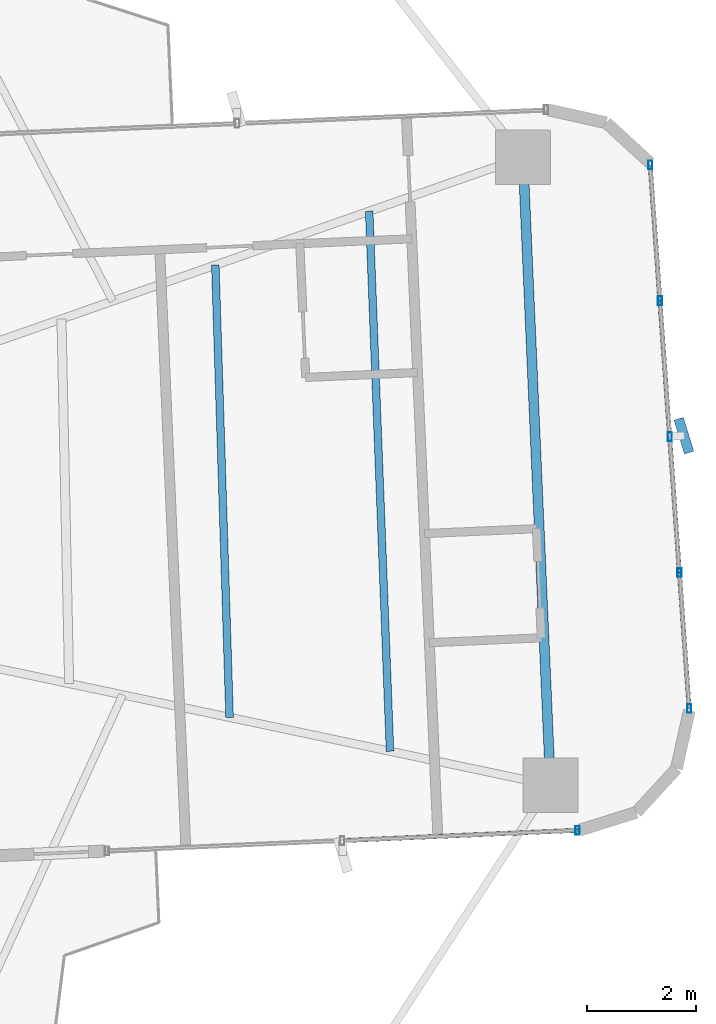
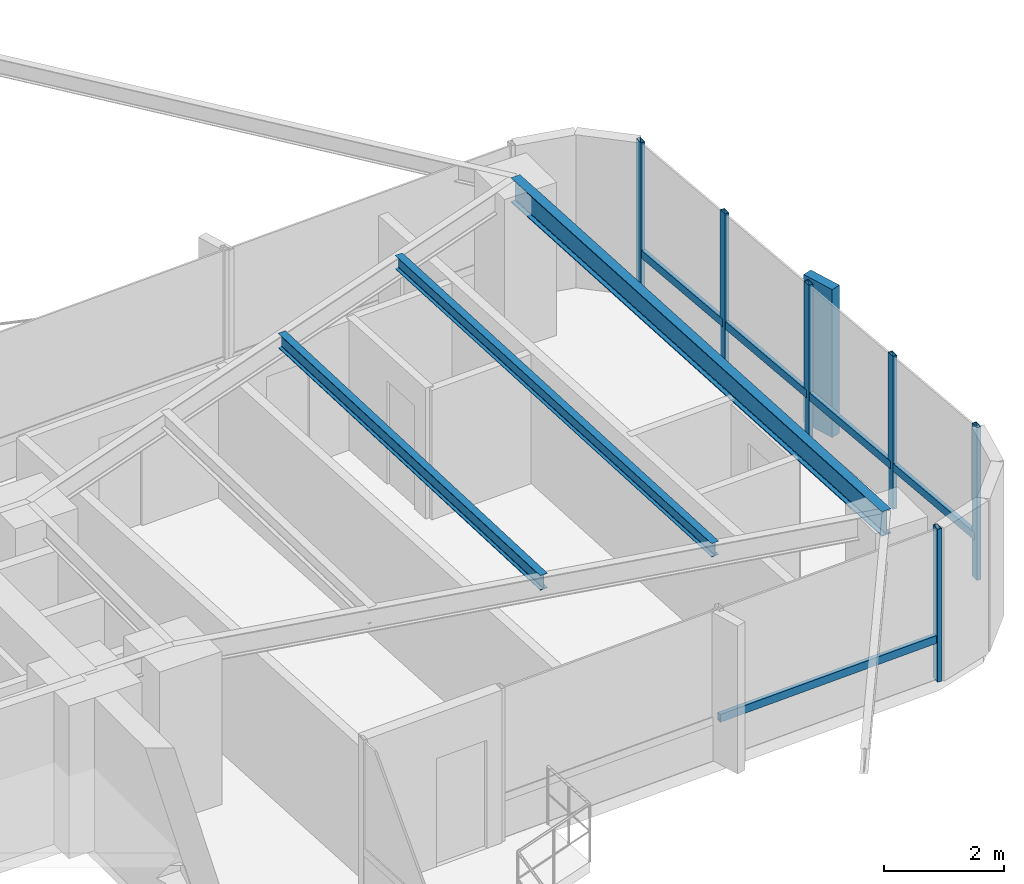
# One storey, part 15 of 26: 12 members, 3 beams, 2 elements without a shape of their own.
"""IFC4 building model written with IfcOpenShell, lengths in metres."""

from ifc_helpers import new_model, si_unit, direction, frame, origin, origin_2d, place, context, subcontext, project, spatial, rectangle, hollow_rectangle, i_section, extrude, source, transform, mapped, material, material_profile, profile_set, type_object, element, aggregate, save


model = new_model("IFC4")

# Units and contexts
model_context = context("Model", 3, precision=1e-05, world=origin(), true_north=direction((0.0, 1.0)))
body_context = subcontext(model_context, "Body", "Model", "MODEL_VIEW")
ifc_project = project(units=[si_unit("LENGTHUNIT", "METRE"), si_unit("AREAUNIT", "SQUARE_METRE"), si_unit("VOLUMEUNIT", "CUBIC_METRE"), si_unit("PLANEANGLEUNIT", "RADIAN"), si_unit("MASSUNIT", "GRAM", prefix="KILO")], contexts=[model_context])

# Site, building, storey
site_placement = place(None, origin())
site = spatial("IfcSite", under=ifc_project, at=site_placement, CompositionType="ELEMENT")
building_placement = place(site_placement, origin())
building = spatial("IfcBuilding", under=site, at=building_placement, Name="Sahyath Konkavel Grand Hotel", CompositionType="ELEMENT")
storey_placement = place(building_placement, frame((0.0, 0.0, 93.550048828125)))
storey = spatial("IfcBuildingStorey", under=building, at=storey_placement, Name="L25", CompositionType="ELEMENT", Elevation=93.550048828125)

# Beams
ifc_material_1 = material(Name="Steel E350", Category="steel")
ifc_material_profile_1 = material_profile(ifc_material_1, i_section(OverallWidth=0.179931640625, OverallDepth=0.5, WebThickness=0.01025390625, FlangeThickness=0.01708984375, FilletRadius=0.01708984375, at=origin_2d()), Name="ISMB 500")
ifc_profile_set_1 = profile_set([ifc_material_profile_1], Name="Steel E350")
beam_type_1 = type_object("IfcBeamType", Name="BM-ISMB500", PredefinedType="BEAM", material=ifc_profile_set_1)
shared_shape_1 = source(origin(), body_context, "Body", "SweptSolid", [
    extrude(i_section(OverallWidth=0.179931640625, OverallDepth=0.5, WebThickness=0.01025390625, FlangeThickness=0.01708984375, FilletRadius=0.01708984375, at=origin_2d()), origin(), (0.0, 0.0, 1.0), 11.5),
])
beam_1_placement = place(storey_placement, frame((17.734130859375, -4.981201171875, 2.85986328125), z_axis=(-0.043627008892, 0.99904788879, 0.0), x_axis=(-0.99904788879, -0.043627008892, 0.0)))
element("IfcBeam", 1, at=beam_1_placement, inside=storey, type_object=beam_type_1, Name="L25 Wing Tip Edge Beam E", PredefinedType="BEAM", context=body_context, shape_type="MappedRepresentation", body=[
    mapped(shared_shape_1, transform((0.0, 0.0, 0.0), scale=1.0)),
])
ifc_material_profile_2 = material_profile(ifc_material_1, i_section(OverallWidth=0.139892578125, OverallDepth=0.300048828125, WebThickness=0.0078125, FlangeThickness=0.01318359375, FilletRadius=0.013916015625, at=origin_2d()), Name="ISMB 300")
ifc_profile_set_2 = profile_set([ifc_material_profile_2], Name="Steel E350")
beam_type_2 = type_object("IfcBeamType", Name="BM-ISMB300", PredefinedType="BEAM", material=ifc_profile_set_2)
shared_shape_2 = source(origin(), body_context, "Body", "SweptSolid", [
    extrude(i_section(OverallWidth=0.139892578125, OverallDepth=0.300048828125, WebThickness=0.0078125, FlangeThickness=0.01318359375, FilletRadius=0.013916015625, at=origin_2d()), origin(), (0.0, 0.0, 1.0), 8.282470703125),
])
beam_2_placement = place(storey_placement, frame((11.86181640625, -3.7421875, 2.9599609375), z_axis=(-0.031510827707, 0.999503410568, 0.0), x_axis=(-0.999503410568, -0.031510827707, 0.0)))
element("IfcBeam", 2, at=beam_2_placement, inside=storey, type_object=beam_type_2, Name="L25 Secondary Floor Beam E-2", PredefinedType="BEAM", context=body_context, shape_type="MappedRepresentation", body=[
    mapped(shared_shape_2, transform((0.0, 0.0, 0.0), scale=1.0)),
])
ifc_material_profile_3 = material_profile(ifc_material_1, i_section(OverallWidth=0.139892578125, OverallDepth=0.27490234375, WebThickness=0.00634765625, FlangeThickness=0.0087890625, FilletRadius=0.012939453125, at=origin_2d()), Name="ISLB 275")
ifc_profile_set_3 = profile_set([ifc_material_profile_3], Name="Steel E350")
beam_type_3 = type_object("IfcBeamType", Name="BM-ISLB275", PredefinedType="BEAM", material=ifc_profile_set_3)
shared_shape_3 = source(origin(), body_context, "Body", "SweptSolid", [
    extrude(i_section(OverallWidth=0.139892578125, OverallDepth=0.27490234375, WebThickness=0.00634765625, FlangeThickness=0.0087890625, FilletRadius=0.012939453125, at=origin_2d()), origin(), (0.0, 0.0, 1.0), 9.89111328125),
])
beam_3_placement = place(storey_placement, frame((14.798095703125, -4.36181640625, 2.972412109375), z_axis=(-0.03855445741, 0.999256500511, 0.0), x_axis=(-0.999256500511, -0.03855445741, 0.0)))
element("IfcBeam", 3, at=beam_3_placement, inside=storey, type_object=beam_type_3, Name="L25 Secondary Floor Beam E-3", PredefinedType="BEAM", context=body_context, shape_type="MappedRepresentation", body=[
    mapped(shared_shape_3, transform((0.0, 0.0, 0.0), scale=1.0)),
])

# Curtain wall, member
ifc_material_2 = material(Name="Anodised Bronze Aluminium & Low-E Glazing", Category="aluminium")
curtain_wall_type = type_object("IfcCurtainWallType", Name="CW-ZONE2", PredefinedType="NOTDEFINED", material=ifc_material_2)
curtain_wall_1_placement = place(storey_placement, origin())
curtain_wall_1 = element("IfcCurtainWall", 4, at=curtain_wall_1_placement, inside=storey, type_object=curtain_wall_type, Name="L25 Unitised Curtain Wall F0", PredefinedType="NOTDEFINED")
ifc_material_3 = material(Name="Anodised Bronze Aluminium", Category="aluminium")
ifc_material_profile_4 = material_profile(ifc_material_3, hollow_rectangle(XDim=0.080078125, YDim=0.159912109375, WallThickness=0.006103515625, at=origin_2d()), Name="RHS 160x80x6")
ifc_profile_set_4 = profile_set([ifc_material_profile_4], Name="Anodised Bronze Aluminium")
member_type_1 = type_object("IfcMemberType", Name="CW-MUL-160", PredefinedType="MULLION", material=ifc_profile_set_4)
shared_shape_4 = source(origin(), body_context, "Body", "SweptSolid", [
    extrude(hollow_rectangle(XDim=0.080078125, YDim=0.159912109375, WallThickness=0.006103515625, at=origin_2d()), origin(), (0.0, 0.0, 1.0), 3.10986328125),
])
member_1_placement = place(storey_placement, frame((18.230712890625, -5.810302734375, 0.0), z_axis=(0.0, 0.0, 1.0), x_axis=(1.0, 0.0, 0.0)))
member_1 = element("IfcMember", 5, at=member_1_placement, type_object=member_type_1, Name="L25 Curtain Wall Mullion F0-2", PredefinedType="MULLION", context=body_context, shape_type="MappedRepresentation", body=[
    mapped(shared_shape_4, transform((0.0, 0.0, 0.0), scale=1.0)),
])

# Curtain wall, members
curtain_wall_2_placement = place(storey_placement, origin())
curtain_wall_2 = element("IfcCurtainWall", 6, at=curtain_wall_2_placement, inside=storey, type_object=curtain_wall_type, Name="L25 Unitised Curtain Wall F4", PredefinedType="NOTDEFINED")
member_2_placement = place(storey_placement, frame((20.2744140625, -3.5791015625, 0.0), z_axis=(0.0, 0.0, 1.0), x_axis=(1.0, 0.0, 0.0)))
member_2 = element("IfcMember", 7, at=member_2_placement, type_object=member_type_1, Name="L25 Curtain Wall Mullion F4-0", PredefinedType="MULLION", context=body_context, shape_type="MappedRepresentation", body=[
    mapped(shared_shape_4, transform((0.0, 0.0, 0.0), scale=1.0)),
])
member_3_placement = place(storey_placement, frame((20.095947265625, -1.092041015625, 0.0), z_axis=(0.0, 0.0, 1.0), x_axis=(1.0, 0.0, 0.0)))
member_3 = element("IfcMember", 8, at=member_3_placement, type_object=member_type_1, Name="L25 Curtain Wall Mullion F4-1", PredefinedType="MULLION", context=body_context, shape_type="MappedRepresentation", body=[
    mapped(shared_shape_4, transform((0.0, 0.0, 0.0), scale=1.0)),
])
member_4_placement = place(storey_placement, frame((19.91748046875, 1.39501953125, 0.0), z_axis=(0.0, 0.0, 1.0), x_axis=(1.0, 0.0, 0.0)))
member_4 = element("IfcMember", 9, at=member_4_placement, type_object=member_type_1, Name="L25 Curtain Wall Mullion F4-2", PredefinedType="MULLION", context=body_context, shape_type="MappedRepresentation", body=[
    mapped(shared_shape_4, transform((0.0, 0.0, 0.0), scale=1.0)),
])
member_5_placement = place(storey_placement, frame((19.739013671875, 3.882080078125, 0.0), z_axis=(0.0, 0.0, 1.0), x_axis=(1.0, 0.0, 0.0)))
member_5 = element("IfcMember", 10, at=member_5_placement, type_object=member_type_1, Name="L25 Curtain Wall Mullion F4-3", PredefinedType="MULLION", context=body_context, shape_type="MappedRepresentation", body=[
    mapped(shared_shape_4, transform((0.0, 0.0, 0.0), scale=1.0)),
])
member_6_placement = place(storey_placement, frame((19.560546875, 6.369384765625, 0.0), z_axis=(0.0, 0.0, 1.0), x_axis=(1.0, 0.0, 0.0)))
member_6 = element("IfcMember", 11, at=member_6_placement, type_object=member_type_1, Name="L25 Curtain Wall Mullion F4-4", PredefinedType="MULLION", context=body_context, shape_type="MappedRepresentation", body=[
    mapped(shared_shape_4, transform((0.0, 0.0, 0.0), scale=1.0)),
])
ifc_material_4 = material(Name="Warm Buff Sandstone Cladding on Concrete C50/60", Category="masonry")
ifc_material_profile_5 = material_profile(ifc_material_4, rectangle(XDim=0.179931640625, YDim=0.64990234375, at=origin_2d()), Name="FIN 180x650")
ifc_profile_set_5 = profile_set([ifc_material_profile_5], Name="Warm Buff Sandstone Cladding on Concrete C50/60")
member_type_2 = type_object("IfcMemberType", Name="FIN-SANDSTONE-650", PredefinedType="MULLION", material=ifc_profile_set_5)
shared_shape_5 = source(origin(), body_context, "Body", "SweptSolid", [
    extrude(rectangle(XDim=0.179931640625, YDim=0.64990234375, at=origin_2d()), origin(), (0.0, 0.0, 1.0), 3.010009765625),
])
member_7_placement = place(storey_placement, frame((20.1767578125, 1.413818359375, 0.050048828125), z_axis=(0.0, 0.0, 1.0), x_axis=(0.955690317134, 0.294373942013, 0.0)))
member_7 = element("IfcMember", 12, at=member_7_placement, type_object=member_type_2, Name="L25 Sandstone Vertical Solar Fin FIN F4-2", PredefinedType="MULLION", context=body_context, shape_type="MappedRepresentation", body=[
    mapped(shared_shape_5, transform((0.0, 0.0, 0.0), scale=1.0)),
])

# Member
ifc_material_profile_6 = material_profile(ifc_material_3, hollow_rectangle(XDim=0.080078125, YDim=0.159912109375, WallThickness=0.006103515625, at=origin_2d()), Name="RHS 160x80x6")
ifc_profile_set_6 = profile_set([ifc_material_profile_6], Name="Anodised Bronze Aluminium")
member_type_3 = type_object("IfcMemberType", Name="CW-TRN-160", PredefinedType="USERDEFINED", material=ifc_profile_set_6)
shared_shape_6 = source(origin(), body_context, "Body", "SweptSolid", [
    extrude(hollow_rectangle(XDim=0.080078125, YDim=0.159912109375, WallThickness=0.006103515625, at=origin_2d()), origin(), (0.0, 0.0, 1.0), 4.31005859375),
])
member_8_placement = place(storey_placement, frame((13.9248046875, -5.998291015625, 0.849853515625), z_axis=(0.999048340188, 0.043616670746, 0.0), x_axis=(-0.043616670746, 0.999048340188, 0.0)))
member_8 = element("IfcMember", 13, at=member_8_placement, type_object=member_type_3, Name="L25 Curtain Wall Transom F0-1-spandrel", ObjectType="TRANSOM", PredefinedType="USERDEFINED", context=body_context, shape_type="MappedRepresentation", body=[
    mapped(shared_shape_6, transform((0.0, 0.0, 0.0), scale=1.0)),
])

aggregate(curtain_wall_1, [member_1, member_8])

shared_shape_7 = source(origin(), body_context, "Body", "SweptSolid", [
    extrude(hollow_rectangle(XDim=0.080078125, YDim=0.159912109375, WallThickness=0.006103515625, at=origin_2d()), origin(), (0.0, 0.0, 1.0), 2.493408203125),
])
member_9_placement = place(storey_placement, frame((20.2744140625, -3.5791015625, 0.849853515625), z_axis=(-0.071574084062, 0.997435286367, 0.0), x_axis=(-0.997435286367, -0.071574084062, 0.0)))
member_9 = element("IfcMember", 14, at=member_9_placement, type_object=member_type_3, Name="L25 Curtain Wall Transom F4-0-spandrel", ObjectType="TRANSOM", PredefinedType="USERDEFINED", context=body_context, shape_type="MappedRepresentation", body=[
    mapped(shared_shape_7, transform((0.0, 0.0, 0.0), scale=1.0)),
])

member_10_placement = place(storey_placement, frame((20.095947265625, -1.092041015625, 0.849853515625), z_axis=(-0.071574084062, 0.997435286367, 0.0), x_axis=(-0.997435286367, -0.071574084062, 0.0)))
member_10 = element("IfcMember", 15, at=member_10_placement, type_object=member_type_3, Name="L25 Curtain Wall Transom F4-1-spandrel", ObjectType="TRANSOM", PredefinedType="USERDEFINED", context=body_context, shape_type="MappedRepresentation", body=[
    mapped(shared_shape_7, transform((0.0, 0.0, 0.0), scale=1.0)),
])

member_11_placement = place(storey_placement, frame((19.91748046875, 1.39501953125, 0.849853515625), z_axis=(-0.071574084062, 0.997435286367, 0.0), x_axis=(-0.997435286367, -0.071574084062, 0.0)))
member_11 = element("IfcMember", 16, at=member_11_placement, type_object=member_type_3, Name="L25 Curtain Wall Transom F4-2-spandrel", ObjectType="TRANSOM", PredefinedType="USERDEFINED", context=body_context, shape_type="MappedRepresentation", body=[
    mapped(shared_shape_7, transform((0.0, 0.0, 0.0), scale=1.0)),
])

shared_shape_8 = source(origin(), body_context, "Body", "SweptSolid", [
    extrude(hollow_rectangle(XDim=0.080078125, YDim=0.159912109375, WallThickness=0.006103515625, at=origin_2d()), origin(), (0.0, 0.0, 1.0), 2.49365234375),
])
member_12_placement = place(storey_placement, frame((19.739013671875, 3.882080078125, 0.849853515625), z_axis=(-0.071567094714, 0.997435787885, 0.0), x_axis=(-0.997435787885, -0.071567094714, 0.0)))
member_12 = element("IfcMember", 17, at=member_12_placement, type_object=member_type_3, Name="L25 Curtain Wall Transom F4-3-spandrel", ObjectType="TRANSOM", PredefinedType="USERDEFINED", context=body_context, shape_type="MappedRepresentation", body=[
    mapped(shared_shape_8, transform((0.0, 0.0, 0.0), scale=1.0)),
])

aggregate(curtain_wall_2, [member_2, member_3, member_4, member_7, member_5, member_6, member_9, member_10, member_11, member_12])

save(model, "model.ifc")
